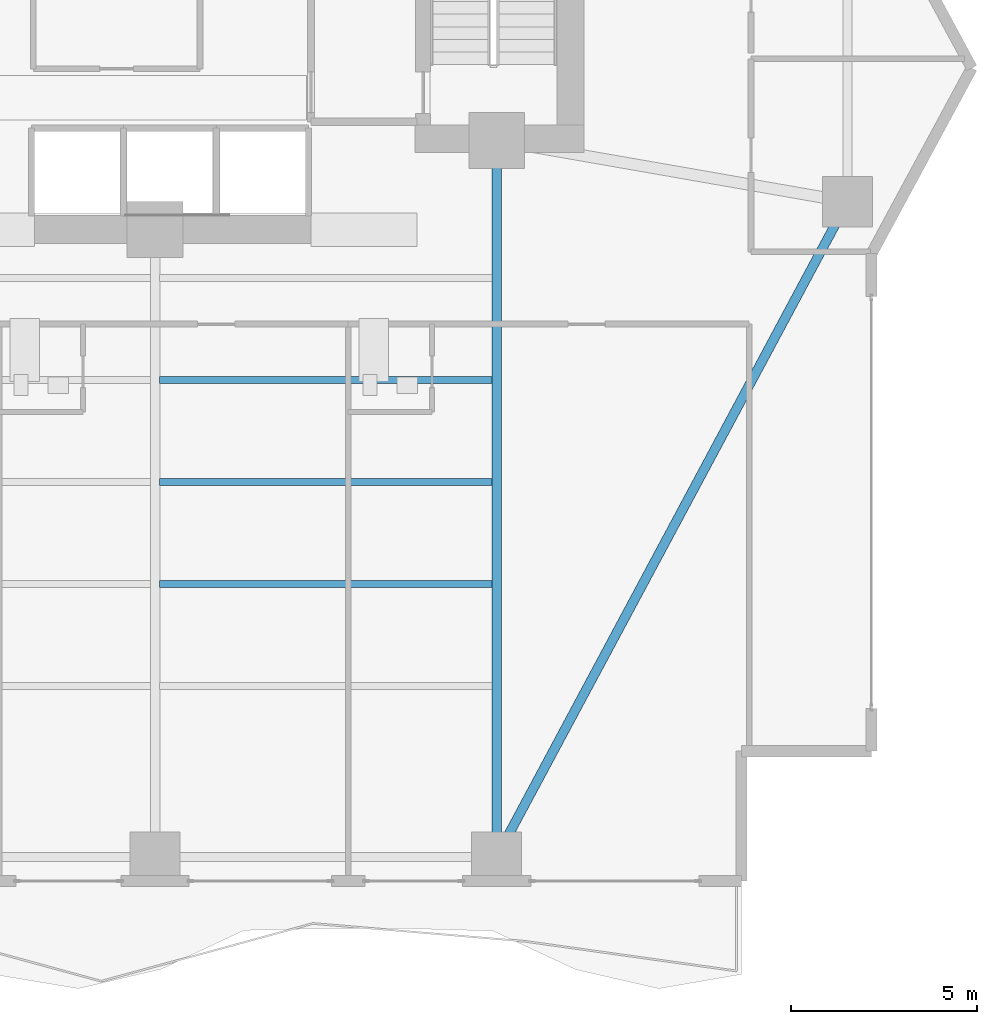
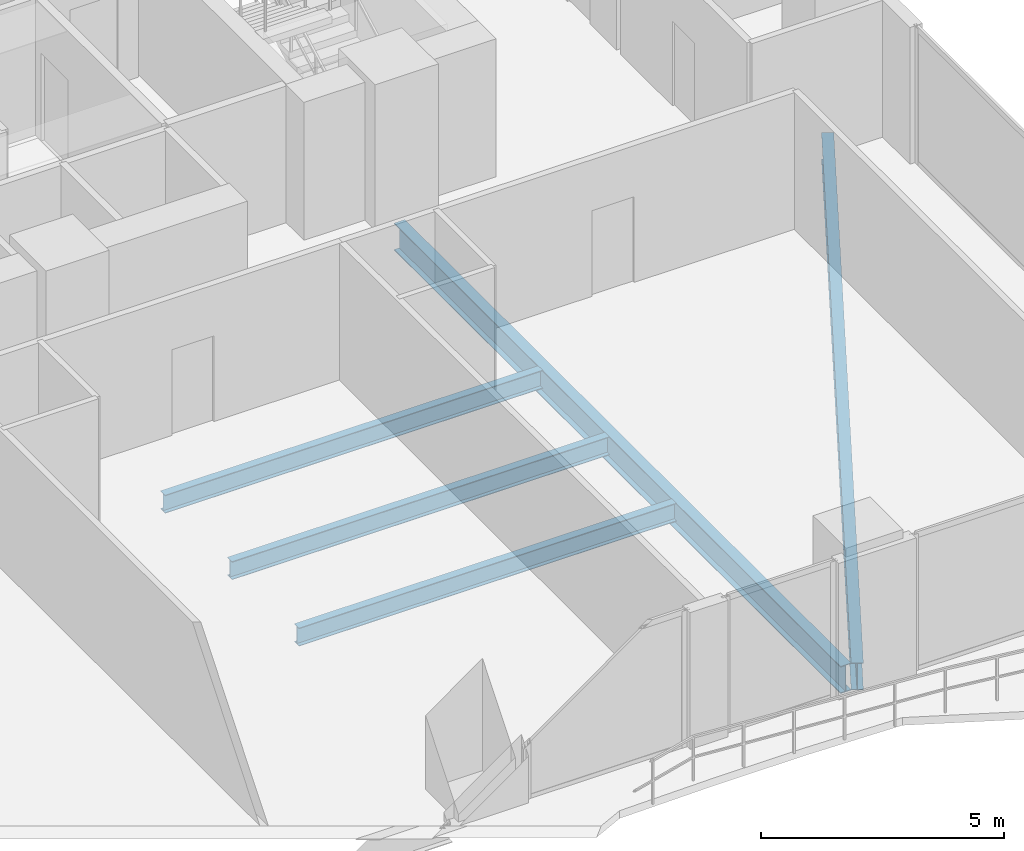
# One storey, part 10 of 27: 5 beams.
"""IFC4 building model written with IfcOpenShell, lengths in metres."""

from ifc_helpers import new_model, si_unit, direction, frame, origin, origin_2d, place, context, subcontext, project, spatial, i_section, extrude, material, material_profile, profile_set, type_object, element, save


model = new_model("IFC4")

# Units and contexts
model_context = context("Model", 3, precision=1e-05, world=origin(), true_north=direction((0.0, 1.0)))
body_context = subcontext(model_context, "Body", "Model", "MODEL_VIEW")
ifc_project = project(units=[si_unit("LENGTHUNIT", "METRE"), si_unit("AREAUNIT", "SQUARE_METRE"), si_unit("VOLUMEUNIT", "CUBIC_METRE"), si_unit("PLANEANGLEUNIT", "RADIAN"), si_unit("MASSUNIT", "GRAM", prefix="KILO")], contexts=[model_context])

# Site, building, storey
site_placement = place(None, origin())
site = spatial("IfcSite", under=ifc_project, at=site_placement, CompositionType="ELEMENT")
building_placement = place(site_placement, origin())
building = spatial("IfcBuilding", under=site, at=building_placement, Name="Zuhayl Quay Hotel", CompositionType="ELEMENT")
storey_placement = place(building_placement, frame((0.0, 0.0, 124.85009765625)))
storey = spatial("IfcBuildingStorey", under=building, at=storey_placement, Name="L31", CompositionType="ELEMENT", Elevation=124.85009765625)

# Beams
ifc_material = material(Name="Steel ASTM A992 Grade 50", Category="steel")
ifc_material_profile_1 = material_profile(ifc_material, i_section(OverallWidth=0.25390625, OverallDepth=0.68310546875, WebThickness=0.012451171875, FlangeThickness=0.018798828125, at=origin_2d()), Name="W27X94")
ifc_profile_set_1 = profile_set([ifc_material_profile_1], Name="Steel ASTM A992 Grade 50")
beam_type_1 = type_object("IfcBeamType", Name="BM_B2_W27X94", PredefinedType="BEAM", material=ifc_profile_set_1)
beam_1_placement = place(storey_placement, frame((14.035888671875, -14.30908203125, -0.5615234375), z_axis=(0.472017301959, 0.88158928456, 0.0), x_axis=(-0.88158928456, 0.472017301959, 0.0)))
element("IfcBeam", 1, at=beam_1_placement, inside=storey, type_object=beam_type_1, Name="L31 Floor Beam RG_L31_04", PredefinedType="BEAM", context=body_context, shape_type="SweptSolid", body=[
    extrude(i_section(OverallWidth=0.25390625, OverallDepth=0.68310546875, WebThickness=0.012451171875, FlangeThickness=0.018798828125, at=origin_2d()), origin(), (0.0, 0.0, 1.0), 19.0205078125),
])
beam_2_placement = place(storey_placement, frame((13.800048828125, -14.25, -0.5615234375), z_axis=(0.0, 1.0, 0.0), x_axis=(-1.0, 0.0, 0.0)))
element("IfcBeam", 2, at=beam_2_placement, inside=storey, type_object=beam_type_1, Name="L31 Floor Beam FG_S_L31_4", PredefinedType="BEAM", context=body_context, shape_type="SweptSolid", body=[
    extrude(i_section(OverallWidth=0.25390625, OverallDepth=0.68310546875, WebThickness=0.012451171875, FlangeThickness=0.018798828125, at=origin_2d()), origin(), (0.0, 0.0, 1.0), 18.35009765625),
])
ifc_material_profile_2 = material_profile(ifc_material, i_section(OverallWidth=0.18994140625, OverallDepth=0.45703125, WebThickness=0.009033203125, FlangeThickness=0.014404296875, at=origin_2d()), Name="W18X50")
ifc_profile_set_2 = profile_set([ifc_material_profile_2], Name="Steel ASTM A992 Grade 50")
beam_type_2 = type_object("IfcBeamType", Name="BM_J2_W18X50", PredefinedType="JOIST", material=ifc_profile_set_2)
for number, where, z_axis, x_axis, name in (
    (3, (4.718994140625, -7.39990234375, -0.448486328125), (1.0, 0.0, 0.0), (0.0, 1.0, 0.0), "L31 Floor Beam FJ_L31_6_3"),
    (4, (4.718994140625, -4.64990234375, -0.448486328125), (1.0, 0.0, 0.0), (0.0, 1.0, 0.0), "L31 Floor Beam FJ_L31_7_3"),
    (5, (4.718994140625, -1.89990234375, -0.448486328125), (1.0, 0.0, 0.0), (0.0, 1.0, 0.0), "L31 Floor Beam FJ_L31_8_3"),
):
    element("IfcBeam", number, at=place(storey_placement, frame(where, z_axis=z_axis, x_axis=x_axis)), inside=storey, type_object=beam_type_2, Name=name, PredefinedType="JOIST", context=body_context, shape_type="SweptSolid", body=[
        extrude(i_section(OverallWidth=0.18994140625, OverallDepth=0.45703125, WebThickness=0.009033203125, FlangeThickness=0.014404296875, at=origin_2d()), origin(), (0.0, 0.0, 1.0), 8.9619140625),
    ])

save(model, "model.ifc")
